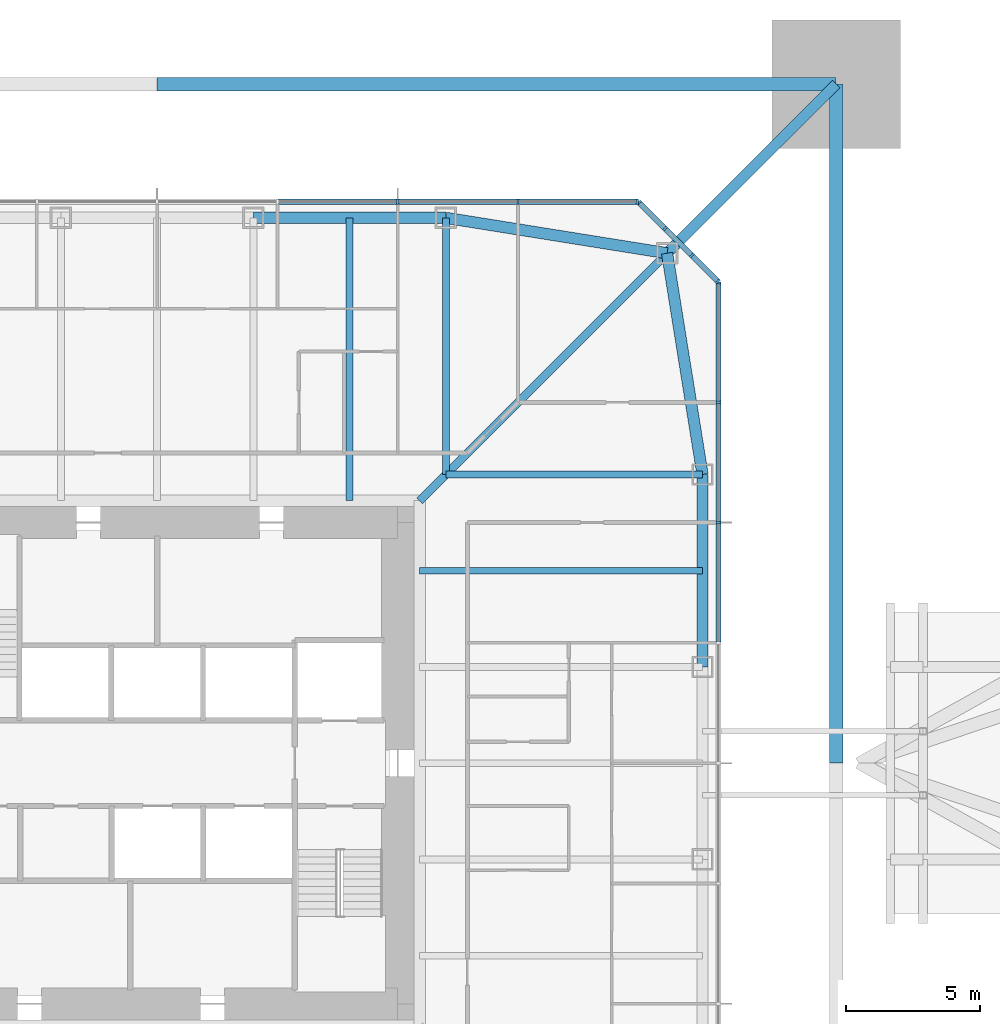
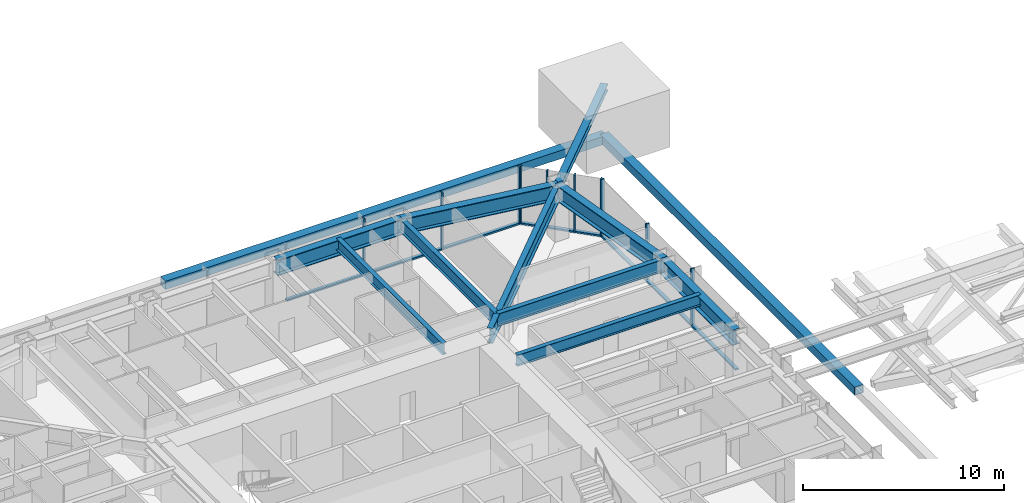
# One storey, part 7 of 26: 22 members, 9 beams, 3 elements without a shape of their own.
"""IFC4 building model written with IfcOpenShell, lengths in metres."""

from ifc_helpers import new_model, si_unit, direction, frame, origin, origin_2d, place, context, subcontext, project, spatial, rectangle, hollow_rectangle, i_section, extrude, material, material_profile, profile_set, type_object, element, aggregate, save


model = new_model("IFC4")

# Units and contexts
model_context = context("Model", 3, precision=1e-05, world=origin(), true_north=direction((0.0, 1.0)))
body_context = subcontext(model_context, "Body", "Model", "MODEL_VIEW")
ifc_project = project(units=[si_unit("LENGTHUNIT", "METRE"), si_unit("AREAUNIT", "SQUARE_METRE"), si_unit("VOLUMEUNIT", "CUBIC_METRE"), si_unit("PLANEANGLEUNIT", "RADIAN"), si_unit("MASSUNIT", "GRAM", prefix="KILO")], contexts=[model_context])

# Site, building, storey
site_placement = place(None, origin())
site = spatial("IfcSite", under=ifc_project, at=site_placement, CompositionType="ELEMENT")
building_placement = place(site_placement, origin())
building = spatial("IfcBuilding", under=site, at=building_placement, Name="Iwan Alto Co-Living Towers", CompositionType="ELEMENT")
storey_placement = place(building_placement, frame((0.0, 0.0, 126.0)))
storey = spatial("IfcBuildingStorey", under=building, at=storey_placement, Name="L34", CompositionType="ELEMENT", Elevation=126.0)

# Curtain wall, members
ifc_material_1 = material(Name="Bronze aluminium unitised frame", Category="aluminium")
curtain_wall_type_1 = type_object("IfcCurtainWallType", Name="CURTAIN WALL CW-A", PredefinedType="NOTDEFINED", material=ifc_material_1)
curtain_wall_1_placement = place(storey_placement, origin())
curtain_wall_1 = element("IfcCurtainWall", 1, at=curtain_wall_1_placement, inside=storey, type_object=curtain_wall_type_1, Name="T1 curtain wall E L34", PredefinedType="NOTDEFINED")
ifc_material_2 = material(Name="Aluminium 6063-T6 bronze anodised", Category="aluminium")
ifc_material_profile_1 = material_profile(ifc_material_2, rectangle(XDim=0.199951171875, YDim=0.080078125, at=origin_2d()), Name="AL 80X200")
ifc_profile_set_1 = profile_set([ifc_material_profile_1], Name="Aluminium 6063-T6 bronze anodised")
member_type_1 = type_object("IfcMemberType", Name="CW-A MULLION 80X200", PredefinedType="MULLION", material=ifc_profile_set_1)
member_1_placement = place(storey_placement, frame((21.0, 9.0, 0.0), z_axis=(0.0, 0.0, 1.0), x_axis=(-1.0, 0.0, 0.0)))
member_1 = element("IfcMember", 2, at=member_1_placement, type_object=member_type_1, Name="CW-A mullion 7", PredefinedType="MULLION", context=body_context, shape_type="SweptSolid", body=[
    extrude(rectangle(XDim=0.199951171875, YDim=0.080078125, at=origin_2d()), origin(), (0.0, 0.0, 1.0), 3.5),
])
member_2_placement = place(storey_placement, frame((21.0, 13.5, 0.0), z_axis=(0.0, 0.0, 1.0), x_axis=(-1.0, 0.0, 0.0)))
member_2 = element("IfcMember", 3, at=member_2_placement, type_object=member_type_1, Name="CW-A mullion 8", PredefinedType="MULLION", context=body_context, shape_type="SweptSolid", body=[
    extrude(rectangle(XDim=0.199951171875, YDim=0.080078125, at=origin_2d()), origin(), (0.0, 0.0, 1.0), 3.5),
])
member_3_placement = place(storey_placement, frame((21.0, 17.9599609375, 0.0), z_axis=(0.0, 0.0, 1.0), x_axis=(-1.0, 0.0, 0.0)))
member_3 = element("IfcMember", 4, at=member_3_placement, type_object=member_type_1, Name="CW-A mullion 9", PredefinedType="MULLION", context=body_context, shape_type="SweptSolid", body=[
    extrude(rectangle(XDim=0.199951171875, YDim=0.080078125, at=origin_2d()), origin(), (0.0, 0.0, 1.0), 3.5),
])

curtain_wall_2_placement = place(storey_placement, origin())
curtain_wall_2 = element("IfcCurtainWall", 5, at=curtain_wall_2_placement, inside=storey, type_object=curtain_wall_type_1, Name="T1 curtain wall N L34", PredefinedType="NOTDEFINED")
member_4_placement = place(storey_placement, frame((17.9599609375, 21.0, 0.0), z_axis=(0.0, 0.0, 1.0), x_axis=(0.0, -1.0, 0.0)))
member_4 = element("IfcMember", 6, at=member_4_placement, type_object=member_type_1, Name="CW-A mullion 1", PredefinedType="MULLION", context=body_context, shape_type="SweptSolid", body=[
    extrude(rectangle(XDim=0.199951171875, YDim=0.080078125, at=origin_2d()), origin(), (0.0, 0.0, 1.0), 3.5),
])
member_5_placement = place(storey_placement, frame((13.5, 21.0, 0.0), z_axis=(0.0, 0.0, 1.0), x_axis=(0.0, -1.0, 0.0)))
member_5 = element("IfcMember", 7, at=member_5_placement, type_object=member_type_1, Name="CW-A mullion 2", PredefinedType="MULLION", context=body_context, shape_type="SweptSolid", body=[
    extrude(rectangle(XDim=0.199951171875, YDim=0.080078125, at=origin_2d()), origin(), (0.0, 0.0, 1.0), 3.5),
])
member_6_placement = place(storey_placement, frame((9.0, 21.0, 0.0), z_axis=(0.0, 0.0, 1.0), x_axis=(0.0, -1.0, 0.0)))
member_6 = element("IfcMember", 8, at=member_6_placement, type_object=member_type_1, Name="CW-A mullion 3", PredefinedType="MULLION", context=body_context, shape_type="SweptSolid", body=[
    extrude(rectangle(XDim=0.199951171875, YDim=0.080078125, at=origin_2d()), origin(), (0.0, 0.0, 1.0), 3.5),
])

# Member
ifc_material_3 = material(Name="Aluminium 6063-T6 bronze anodised", Category="aluminium")
ifc_material_profile_2 = material_profile(ifc_material_3, rectangle(XDim=0.199951171875, YDim=0.10009765625, at=origin_2d()), Name="AL 200X100")
ifc_profile_set_2 = profile_set([ifc_material_profile_2], Name="Aluminium 6063-T6 bronze anodised")
member_type_2 = type_object("IfcMemberType", Name="CW-A TRANSOM 200X100", PredefinedType="USERDEFINED", material=ifc_profile_set_2)
member_7_placement = place(storey_placement, frame((21.0, 4.5400390625, 0.050048828125), z_axis=(0.0, 1.0, 0.0), x_axis=(-1.0, 0.0, 0.0)))
member_7 = element("IfcMember", 9, at=member_7_placement, type_object=member_type_2, Name="CW-A transom 6.1", ObjectType="TRANSOM", PredefinedType="USERDEFINED", context=body_context, shape_type="SweptSolid", body=[
    extrude(rectangle(XDim=0.199951171875, YDim=0.10009765625, at=origin_2d()), origin(), (0.0, 0.0, 1.0), 4.419921875),
])

member_8_placement = place(storey_placement, frame((21.0, 9.0400390625, 0.050048828125), z_axis=(0.0, 1.0, 0.0), x_axis=(-1.0, 0.0, 0.0)))
member_8 = element("IfcMember", 10, at=member_8_placement, type_object=member_type_2, Name="CW-A transom 7.1", ObjectType="TRANSOM", PredefinedType="USERDEFINED", context=body_context, shape_type="SweptSolid", body=[
    extrude(rectangle(XDim=0.199951171875, YDim=0.10009765625, at=origin_2d()), origin(), (0.0, 0.0, 1.0), 4.419921875),
])

member_9_placement = place(storey_placement, frame((21.0, 13.5400390625, 0.050048828125), z_axis=(0.0, 1.0, 0.0), x_axis=(-1.0, 0.0, 0.0)))
member_9 = element("IfcMember", 11, at=member_9_placement, type_object=member_type_2, Name="CW-A transom 8.1", ObjectType="TRANSOM", PredefinedType="USERDEFINED", context=body_context, shape_type="SweptSolid", body=[
    extrude(rectangle(XDim=0.199951171875, YDim=0.10009765625, at=origin_2d()), origin(), (0.0, 0.0, 1.0), 4.3798828125),
])

aggregate(curtain_wall_1, [member_1, member_2, member_3, member_7, member_8, member_9])

member_10_placement = place(storey_placement, frame((17.919921875, 21.0, 0.050048828125), z_axis=(-1.0, 0.0, 0.0), x_axis=(0.0, -1.0, 0.0)))
member_10 = element("IfcMember", 12, at=member_10_placement, type_object=member_type_2, Name="CW-A transom 1.1", ObjectType="TRANSOM", PredefinedType="USERDEFINED", context=body_context, shape_type="SweptSolid", body=[
    extrude(rectangle(XDim=0.199951171875, YDim=0.10009765625, at=origin_2d()), origin(), (0.0, 0.0, 1.0), 4.3798828125),
])

member_11_placement = place(storey_placement, frame((13.4599609375, 21.0, 0.050048828125), z_axis=(-1.0, 0.0, 0.0), x_axis=(0.0, -1.0, 0.0)))
member_11 = element("IfcMember", 13, at=member_11_placement, type_object=member_type_2, Name="CW-A transom 2.1", ObjectType="TRANSOM", PredefinedType="USERDEFINED", context=body_context, shape_type="SweptSolid", body=[
    extrude(rectangle(XDim=0.199951171875, YDim=0.10009765625, at=origin_2d()), origin(), (0.0, 0.0, 1.0), 4.419921875),
])

member_12_placement = place(storey_placement, frame((8.9599609375, 21.0, 0.050048828125), z_axis=(-1.0, 0.0, 0.0), x_axis=(0.0, -1.0, 0.0)))
member_12 = element("IfcMember", 14, at=member_12_placement, type_object=member_type_2, Name="CW-A transom 3.1", ObjectType="TRANSOM", PredefinedType="USERDEFINED", context=body_context, shape_type="SweptSolid", body=[
    extrude(rectangle(XDim=0.199951171875, YDim=0.10009765625, at=origin_2d()), origin(), (0.0, 0.0, 1.0), 4.419921875),
])

aggregate(curtain_wall_2, [member_4, member_5, member_6, member_10, member_11, member_12])

# Curtain wall, members
ifc_material_4 = material(Name="Bronze aluminium unitised frame", Category="aluminium")
curtain_wall_type_2 = type_object("IfcCurtainWallType", Name="CURTAIN WALL CW-B", PredefinedType="NOTDEFINED", material=ifc_material_4)
curtain_wall_3_placement = place(storey_placement, origin())
curtain_wall_3 = element("IfcCurtainWall", 15, at=curtain_wall_3_placement, inside=storey, type_object=curtain_wall_type_2, Name="T1 chamfer curtain wall NE L34", PredefinedType="NOTDEFINED")
ifc_material_5 = material(Name="Aluminium 6063-T6 bronze anodised", Category="aluminium")
ifc_material_profile_3 = material_profile(ifc_material_5, rectangle(XDim=0.199951171875, YDim=0.080078125, at=origin_2d()), Name="AL 80X200")
ifc_profile_set_3 = profile_set([ifc_material_profile_3], Name="Aluminium 6063-T6 bronze anodised")
member_type_3 = type_object("IfcMemberType", Name="CW-B MULLION 80X200", PredefinedType="MULLION", material=ifc_profile_set_3)
member_13_placement = place(storey_placement, frame((20.9716796875, 18.0283203125, 0.0), z_axis=(0.0, 0.0, 1.0), x_axis=(-0.707106781187, -0.707106781187, 0.0)))
member_13 = element("IfcMember", 16, at=member_13_placement, type_object=member_type_3, Name="CW-B mullion 1", PredefinedType="MULLION", context=body_context, shape_type="SweptSolid", body=[
    extrude(rectangle(XDim=0.199951171875, YDim=0.080078125, at=origin_2d()), origin(), (0.0, 0.0, 1.0), 3.5),
])
member_14_placement = place(storey_placement, frame((20.0, 19.0, 0.0), z_axis=(0.0, 0.0, 1.0), x_axis=(-0.707106781187, -0.707106781187, 0.0)))
member_14 = element("IfcMember", 17, at=member_14_placement, type_object=member_type_3, Name="CW-B mullion 2", PredefinedType="MULLION", context=body_context, shape_type="SweptSolid", body=[
    extrude(rectangle(XDim=0.199951171875, YDim=0.080078125, at=origin_2d()), origin(), (0.0, 0.0, 1.0), 3.5),
])
member_15_placement = place(storey_placement, frame((19.0, 20.0, 0.0), z_axis=(0.0, 0.0, 1.0), x_axis=(-0.707106781187, -0.707106781187, 0.0)))
member_15 = element("IfcMember", 18, at=member_15_placement, type_object=member_type_3, Name="CW-B mullion 3", PredefinedType="MULLION", context=body_context, shape_type="SweptSolid", body=[
    extrude(rectangle(XDim=0.199951171875, YDim=0.080078125, at=origin_2d()), origin(), (0.0, 0.0, 1.0), 3.5),
])
member_16_placement = place(storey_placement, frame((18.0283203125, 20.9716796875, 0.0), z_axis=(0.0, 0.0, 1.0), x_axis=(-0.707106781187, -0.707106781187, 0.0)))
member_16 = element("IfcMember", 19, at=member_16_placement, type_object=member_type_3, Name="CW-B mullion 4", PredefinedType="MULLION", context=body_context, shape_type="SweptSolid", body=[
    extrude(rectangle(XDim=0.199951171875, YDim=0.080078125, at=origin_2d()), origin(), (0.0, 0.0, 1.0), 3.5),
])
ifc_material_6 = material(Name="Aluminium 6063-T6 bronze anodised", Category="aluminium")
ifc_material_profile_4 = material_profile(ifc_material_6, rectangle(XDim=0.199951171875, YDim=0.10009765625, at=origin_2d()), Name="AL 200X100")
ifc_profile_set_4 = profile_set([ifc_material_profile_4], Name="Aluminium 6063-T6 bronze anodised")
member_type_4 = type_object("IfcMemberType", Name="CW-B TRANSOM 200X100", PredefinedType="USERDEFINED", material=ifc_profile_set_4)
member_17_placement = place(storey_placement, frame((20.943359375, 18.056640625, 0.050048828125), z_axis=(-0.707106781187, 0.707106781187, 0.0), x_axis=(-0.707106781187, -0.707106781187, 0.0)))
member_17 = element("IfcMember", 20, at=member_17_placement, type_object=member_type_4, Name="CW-B transom 1.1", ObjectType="TRANSOM", PredefinedType="USERDEFINED", context=body_context, shape_type="SweptSolid", body=[
    extrude(rectangle(XDim=0.199951171875, YDim=0.10009765625, at=origin_2d()), origin(), (0.0, 0.0, 1.0), 1.2939453125),
])
member_18_placement = place(storey_placement, frame((19.9716796875, 19.0283203125, 0.050048828125), z_axis=(-0.707106781187, 0.707106781187, 0.0), x_axis=(-0.707106781187, -0.707106781187, 0.0)))
member_18 = element("IfcMember", 21, at=member_18_placement, type_object=member_type_4, Name="CW-B transom 2.1", ObjectType="TRANSOM", PredefinedType="USERDEFINED", context=body_context, shape_type="SweptSolid", body=[
    extrude(rectangle(XDim=0.199951171875, YDim=0.10009765625, at=origin_2d()), origin(), (0.0, 0.0, 1.0), 1.334228515625),
])
member_19_placement = place(storey_placement, frame((18.9716796875, 20.0283203125, 0.050048828125), z_axis=(-0.707106781187, 0.707106781187, 0.0), x_axis=(-0.707106781187, -0.707106781187, 0.0)))
member_19 = element("IfcMember", 22, at=member_19_placement, type_object=member_type_4, Name="CW-B transom 3.1", ObjectType="TRANSOM", PredefinedType="USERDEFINED", context=body_context, shape_type="SweptSolid", body=[
    extrude(rectangle(XDim=0.199951171875, YDim=0.10009765625, at=origin_2d()), origin(), (0.0, 0.0, 1.0), 1.2939453125),
])
aggregate(curtain_wall_3, [member_13, member_14, member_15, member_16, member_17, member_18, member_19])

# Beams
ifc_material_7 = material(Name="Steel ASTM A992 Gr 50", Category="steel")
ifc_material_profile_5 = material_profile(ifc_material_7, i_section(OverallWidth=0.307373046875, OverallDepth=0.927001953125, WebThickness=0.01953125, FlangeThickness=0.031982421875, at=origin_2d()), Name="W36X194")
ifc_profile_set_5 = profile_set([ifc_material_profile_5], Name="Steel ASTM A992 Gr 50")
beam_type_1 = type_object("IfcBeamType", Name="T1 CORNER GIRDER W36X194", PredefinedType="BEAM", material=ifc_profile_set_5)
beam_1_placement = place(storey_placement, frame((19.07568359375, 19.07568359375, 2.806396484375), z_axis=(-0.707106781187, -0.707106781187, 0.0), x_axis=(0.707106781187, -0.707106781187, 0.0)))
element("IfcBeam", 23, at=beam_1_placement, inside=storey, type_object=beam_type_1, Name="T1 corner girder CNE L35", PredefinedType="BEAM", context=body_context, shape_type="SweptSolid", body=[
    extrude(i_section(OverallWidth=0.307373046875, OverallDepth=0.927001953125, WebThickness=0.01953125, FlangeThickness=0.031982421875, at=origin_2d()), origin(), (0.0, 0.0, 1.0), 13.091796875),
])
ifc_material_8 = material(Name="Steel ASTM A992 Gr 50", Category="steel")
ifc_material_profile_6 = material_profile(ifc_material_8, i_section(OverallWidth=0.424072265625, OverallDepth=0.947509765625, WebThickness=0.02392578125, FlangeThickness=0.042724609375, at=origin_2d()), Name="W36X302")
ifc_profile_set_6 = profile_set([ifc_material_profile_6], Name="Steel ASTM A992 Gr 50")
beam_type_2 = type_object("IfcBeamType", Name="T1 EDGE BEAM W36X302", PredefinedType="BEAM", material=ifc_profile_set_6)
beam_2_placement = place(storey_placement, frame((20.39990234375, 3.60009765625, 2.79638671875), z_axis=(0.0, 1.0, 0.0), x_axis=(-1.0, 0.0, 0.0)))
element("IfcBeam", 24, at=beam_2_placement, inside=storey, type_object=beam_type_2, Name="T1 edge beam E3 L35", PredefinedType="BEAM", context=body_context, shape_type="SweptSolid", body=[
    extrude(i_section(OverallWidth=0.424072265625, OverallDepth=0.947509765625, WebThickness=0.02392578125, FlangeThickness=0.042724609375, at=origin_2d()), origin(), (0.0, 0.0, 1.0), 7.199951171875),
])
for number, where, z_axis, x_axis, name in (
    (25, (20.39990234375, 10.800048828125, 2.79638671875), (-0.158004134737, 0.987438450439, 0.0), (-0.987438450439, -0.158004134737, 0.0), "T1 edge beam E4 L35"),
    (26, (19.07568359375, 19.07568359375, 2.79638671875), (-0.987438450439, 0.158004134737, 0.0), (-0.158004134737, -0.987438450439, 0.0), "T1 edge beam CNE L35"),
):
    element("IfcBeam", number, at=place(storey_placement, frame(where, z_axis=z_axis, x_axis=x_axis)), inside=storey, type_object=beam_type_2, Name=name, PredefinedType="BEAM", context=body_context, shape_type="SweptSolid", body=[
        extrude(i_section(OverallWidth=0.424072265625, OverallDepth=0.947509765625, WebThickness=0.02392578125, FlangeThickness=0.042724609375, at=origin_2d()), origin(), (0.0, 0.0, 1.0), 8.380859375),
    ])
beam_3_placement = place(storey_placement, frame((10.800048828125, 20.39990234375, 2.79638671875), z_axis=(-1.0, 0.0, 0.0), x_axis=(0.0, -1.0, 0.0)))
element("IfcBeam", 27, at=beam_3_placement, inside=storey, type_object=beam_type_2, Name="T1 edge beam N1 L35", PredefinedType="BEAM", context=body_context, shape_type="SweptSolid", body=[
    extrude(i_section(OverallWidth=0.424072265625, OverallDepth=0.947509765625, WebThickness=0.02392578125, FlangeThickness=0.042724609375, at=origin_2d()), origin(), (0.0, 0.0, 1.0), 7.199951171875),
])

# Members
ifc_material_9 = material(Name="Steel ASTM A992 Gr 50", Category="steel")
ifc_material_profile_7 = material_profile(ifc_material_9, i_section(OverallWidth=0.393798828125, OverallDepth=0.3759765625, WebThickness=0.017333984375, FlangeThickness=0.027587890625, at=origin_2d()), Name="W14X145")
ifc_profile_set_7 = profile_set([ifc_material_profile_7], Name="Steel ASTM A992 Gr 50")
member_type_5 = type_object("IfcMemberType", Name="T1 MEGA COLUMN FLOOR TIE W14X145", PredefinedType="STRUT", material=ifc_profile_set_7)
member_20_placement = place(storey_placement, frame((25.39990234375, 25.39990234375, 3.08203125), z_axis=(-0.707106781187, -0.707106781187, 0.0), x_axis=(0.707106781187, -0.707106781187, 0.0)))
element("IfcMember", 28, at=member_20_placement, inside=storey, type_object=member_type_5, Name="T1 mega column floor tie NE L35", PredefinedType="STRUT", context=body_context, shape_type="SweptSolid", body=[
    extrude(i_section(OverallWidth=0.393798828125, OverallDepth=0.3759765625, WebThickness=0.017333984375, FlangeThickness=0.027587890625, at=origin_2d()), origin(), (0.0, 0.0, 1.0), 8.94384765625),
])
ifc_material_10 = material(Name="Steel ASTM A572 Gr 50", Category="steel")
ifc_material_profile_8 = material_profile(ifc_material_10, hollow_rectangle(XDim=0.5, YDim=0.5, WallThickness=0.031982421875, at=origin_2d()), Name="BOX 500X500X32")
ifc_profile_set_8 = profile_set([ifc_material_profile_8], Name="Steel ASTM A572 Gr 50")
member_type_6 = type_object("IfcMemberType", Name="T1 MEGA TIE BOX 500X500X32", PredefinedType="STRUT", material=ifc_profile_set_8)
for number, where, z_axis, x_axis, name in (
    (29, (25.39990234375, 0.0, 0.0), (0.0, 1.0, 0.0), (-1.0, 0.0, 0.0), "T1 mega tie Z2B E 2"),
    (30, (25.39990234375, 25.39990234375, 0.0), (-1.0, 0.0, 0.0), (0.0, -1.0, 0.0), "T1 mega tie Z2B N 1"),
):
    element("IfcMember", number, at=place(storey_placement, frame(where, z_axis=z_axis, x_axis=x_axis)), inside=storey, type_object=member_type_6, Name=name, PredefinedType="STRUT", context=body_context, shape_type="SweptSolid", body=[
        extrude(hollow_rectangle(XDim=0.5, YDim=0.5, WallThickness=0.031982421875, at=origin_2d()), origin(), (0.0, 0.0, 1.0), 25.39990234375),
    ])

# Beams
ifc_material_11 = material(Name="Steel ASTM A992 Gr 50", Category="steel")
ifc_material_profile_9 = material_profile(ifc_material_11, i_section(OverallWidth=0.2666015625, OverallDepth=0.761962890625, WebThickness=0.014404296875, FlangeThickness=0.021484375, at=origin_2d()), Name="W30X116")
ifc_profile_set_9 = profile_set([ifc_material_profile_9], Name="Steel ASTM A992 Gr 50")
beam_type_3 = type_object("IfcBeamType", Name="T1 RADIAL BEAM W30X116", PredefinedType="BEAM", material=ifc_profile_set_9)
for number, where, z_axis, x_axis, name in (
    (31, (20.39990234375, 10.800048828125, 2.888916015625), (-1.0, 0.0, 0.0), (0.0, -1.0, 0.0), "T1 radial beam E4 L35"),
    (32, (10.800048828125, 20.39990234375, 2.888916015625), (0.0, -1.0, 0.0), (1.0, 0.0, 0.0), "T1 radial beam N1 L35"),
):
    element("IfcBeam", number, at=place(storey_placement, frame(where, z_axis=z_axis, x_axis=x_axis)), inside=storey, type_object=beam_type_3, Name=name, PredefinedType="BEAM", context=body_context, shape_type="SweptSolid", body=[
        extrude(i_section(OverallWidth=0.2666015625, OverallDepth=0.761962890625, WebThickness=0.014404296875, FlangeThickness=0.021484375, at=origin_2d()), origin(), (0.0, 0.0, 1.0), 9.599853515625),
    ])
ifc_material_12 = material(Name="Steel ASTM A992 Gr 50", Category="steel")
ifc_material_profile_10 = material_profile(ifc_material_12, i_section(OverallWidth=0.25390625, OverallDepth=0.683349609375, WebThickness=0.012451171875, FlangeThickness=0.018798828125, at=origin_2d()), Name="W27X94")
ifc_profile_set_10 = profile_set([ifc_material_profile_10], Name="Steel ASTM A992 Gr 50")
beam_type_4 = type_object("IfcBeamType", Name="T1 SECONDARY BEAM W27X94", PredefinedType="JOIST", material=ifc_profile_set_10)
for number, where, z_axis, x_axis, name in (
    (33, (20.39990234375, 7.199951171875, 2.928466796875), (-1.0, 0.0, 0.0), (0.0, -1.0, 0.0), "T1 secondary beam E3 L35"),
    (34, (7.199951171875, 20.39990234375, 2.928466796875), (0.0, -1.0, 0.0), (1.0, 0.0, 0.0), "T1 secondary beam N1 L35"),
):
    element("IfcBeam", number, at=place(storey_placement, frame(where, z_axis=z_axis, x_axis=x_axis)), inside=storey, type_object=beam_type_4, Name=name, PredefinedType="JOIST", context=body_context, shape_type="SweptSolid", body=[
        extrude(i_section(OverallWidth=0.25390625, OverallDepth=0.683349609375, WebThickness=0.012451171875, FlangeThickness=0.018798828125, at=origin_2d()), origin(), (0.0, 0.0, 1.0), 10.58154296875),
    ])

save(model, "model.ifc")
